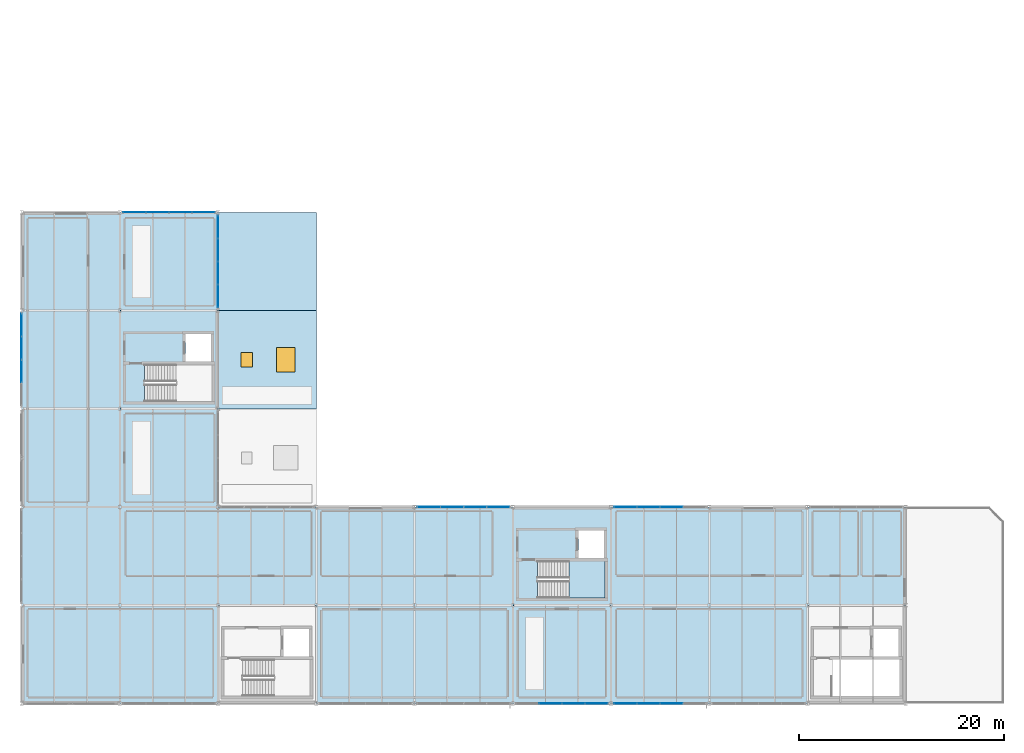
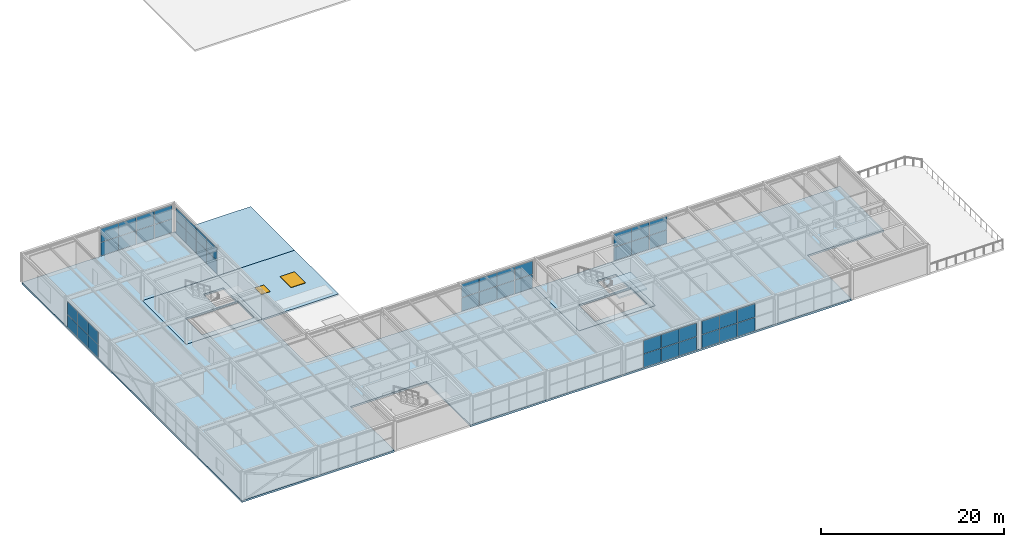
# One storey, part 39 of 50: 48 plates, 6 slabs, 1 door, 1 window, 2 openings, 8 elements without a shape of their own.
"""IFC4 building model written with IfcOpenShell, lengths in metres."""

import ifcopenshell
import ifcopenshell.guid

model = None  # the IFC model being written
_history = None  # IfcOwnerHistory: only IFC2X3 demands one
_inside = {}  # id of a spatial element -> (the spatial element, [elements in it])
_under = {}  # id of a project, library or spatial element -> (it, [spatial elements below it])
_declared = {}  # id of a project -> (the project, [libraries it declares])
_typed = {}  # id of a type object -> (the type object, [elements of that type])
_made_of = {}  # id of a material, layer set ... -> (it, [elements and type objects made of it])


def new_model(schema):
    """Start an empty IFC model of exactly this schema.

    Asked for "IFC4X3", IfcOpenShell would pick the latest addendum, in which some entities
    have other attributes; the version numbers below select the first issue.
    IFC2X3 requires an IfcOwnerHistory on every rooted entity: one is made here for all.
    """
    global model, _history
    if schema == "IFC4X3":
        model = ifcopenshell.file(schema_version=(4, 3, 0, 0))
    else:
        model = ifcopenshell.file(schema=schema)
    _inside.clear()
    _under.clear()
    _declared.clear()
    _typed.clear()
    _made_of.clear()
    _history = None
    if model.schema == "IFC2X3":
        org = make("IfcOrganization", Name="unknown")
        user = make(
            "IfcPersonAndOrganization",
            ThePerson=make("IfcPerson", FamilyName="unknown"),
            TheOrganization=org,
        )
        app = make(
            "IfcApplication",
            ApplicationDeveloper=org,
            Version="unknown",
            ApplicationFullName="unknown",
            ApplicationIdentifier="unknown",
        )
        _history = make(
            "IfcOwnerHistory",
            OwningUser=user,
            OwningApplication=app,
            ChangeAction="ADDED",
            CreationDate=0,
        )
    return model


def make(cls, **values):
    """One entity of the class cls with the attributes given. An attribute that is None is left unset."""
    return model.create_entity(
        cls, **{name: value for name, value in values.items() if value is not None}
    )


def rooted(cls, **values):
    """An entity with a GlobalId (a new one), such as an element, a storey or a relation."""
    return make(cls, GlobalId=ifcopenshell.guid.new(), OwnerHistory=_history, **values)


def si_unit(unit_type, name, prefix=None):
    """IfcSIUnit, for example si_unit("LENGTHUNIT", "METRE", prefix="MILLI")."""
    return make("IfcSIUnit", UnitType=unit_type, Prefix=prefix, Name=name)


def assignment(units):
    """IfcUnitAssignment: the units of a project."""
    return None if units is None else make("IfcUnitAssignment", Units=units)


def point(xyz):
    """IfcCartesianPoint."""
    return None if xyz is None else make("IfcCartesianPoint", Coordinates=xyz)


def direction(xyz):
    """IfcDirection."""
    return None if xyz is None else make("IfcDirection", DirectionRatios=xyz)


def frame(location, z_axis=None, x_axis=None):
    """IfcAxis2Placement3D, a coordinate frame: its origin and axes. An axis left out is left unset."""
    return make(
        "IfcAxis2Placement3D",
        Location=point(location),
        Axis=direction(z_axis),
        RefDirection=direction(x_axis),
    )


def frame_2d(location, x_axis=None):
    """IfcAxis2Placement2D, a coordinate frame in the plane: its origin and x axis."""
    return make(
        "IfcAxis2Placement2D", Location=point(location), RefDirection=direction(x_axis)
    )


def origin():
    """The frame at (0, 0, 0) with its axes left unset."""
    return frame((0.0, 0.0, 0.0))


def origin_2d():
    """The frame at (0, 0) in the plane with its x axis left unset."""
    return frame_2d((0.0, 0.0))


def place(relative_to, where):
    """IfcLocalPlacement: puts the frame where relative to a parent placement (None: the world)."""
    return make(
        "IfcLocalPlacement", PlacementRelTo=relative_to, RelativePlacement=where
    )


def context(
    kind, dimensions, precision=None, world=None, true_north=None, identifier=None
):
    """IfcGeometricRepresentationContext, for example the 3D "Model" context."""
    return make(
        "IfcGeometricRepresentationContext",
        ContextIdentifier=identifier,
        ContextType=kind,
        CoordinateSpaceDimension=dimensions,
        Precision=precision,
        WorldCoordinateSystem=world,
        TrueNorth=true_north,
    )


def subcontext(parent, identifier, kind, view, scale=None):
    """IfcGeometricRepresentationSubContext, for example "Body" below "Model"."""
    return make(
        "IfcGeometricRepresentationSubContext",
        ContextIdentifier=identifier,
        ContextType=kind,
        ParentContext=parent,
        TargetScale=scale,
        TargetView=view,
    )


def project(units=None, contexts=None):
    """IfcProject with its units and contexts."""
    return rooted(
        "IfcProject",
        Name="project",
        RepresentationContexts=contexts,
        UnitsInContext=assignment(units),
    )


def spatial(cls, under=None, at=None, **own):
    """A site, building, storey or space (cls), placed at a placement, below another one or the project."""
    s = rooted(cls, ObjectPlacement=at, **own)
    if under is not None:
        _under.setdefault(under.id(), (under, []))[1].append(s)
    return s


def polyline(points):
    """IfcPolyline through the points."""
    return make("IfcPolyline", Points=[point(p) for p in points])


def profile(cls, at=None, kind="AREA", **sizes):
    """A parametric profile (cls). Its sizes go by their IFC names, for example OverallWidth=200.0."""
    return make(cls, ProfileType=kind, Position=at, **sizes)


def rectangle(**sizes):
    """IfcRectangleProfileDef."""
    return profile("IfcRectangleProfileDef", **sizes)


def outline(outer, holes=None, kind="AREA"):
    """IfcArbitraryClosedProfileDef: a profile drawn as a closed curve; with holes, ...WithVoids."""
    if holes is None:
        return make("IfcArbitraryClosedProfileDef", ProfileType=kind, OuterCurve=outer)
    return make(
        "IfcArbitraryProfileDefWithVoids",
        ProfileType=kind,
        OuterCurve=outer,
        InnerCurves=holes,
    )


def extrude(swept, where, along, depth):
    """IfcExtrudedAreaSolid: the profile swept, set in the frame where, extruded along a direction by depth."""
    return make(
        "IfcExtrudedAreaSolid",
        SweptArea=swept,
        Position=where,
        ExtrudedDirection=direction(along),
        Depth=depth,
    )


def shape(context_of_items, identifier, shape_type, items):
    """IfcShapeRepresentation: the items that make up one representation, for example the "Body"."""
    return make(
        "IfcShapeRepresentation",
        ContextOfItems=context_of_items,
        RepresentationIdentifier=identifier,
        RepresentationType=shape_type,
        Items=items,
    )


def material(Name=None, Category=None):
    """IfcMaterial."""
    return make("IfcMaterial", Name=Name, Category=Category)


def layer(
    of_material, thickness, ventilated=None, Name=None, Category=None, Priority=None
):
    """IfcMaterialLayer: one layer of a wall or slab, of a material (None: an air gap)."""
    return make(
        "IfcMaterialLayer",
        Material=of_material,
        LayerThickness=thickness,
        IsVentilated=ventilated,
        Name=Name,
        Category=Category,
        Priority=Priority,
    )


def layer_set(layers, Name=None):
    """IfcMaterialLayerSet."""
    return make("IfcMaterialLayerSet", MaterialLayers=layers, LayerSetName=Name)


def made_of(thing, what):
    """Note that an element or type object is made of a material, layer set ...; save() writes the relation."""
    if what is not None:
        _made_of.setdefault(what.id(), (what, []))[1].append(thing)
    return thing


def type_object(cls, material=None, **own):
    """A type object (cls), such as IfcWallType, which elements share."""
    return made_of(rooted(cls, **own), material)


def element(
    cls,
    number,
    at=None,
    inside=None,
    cuts=None,
    type_object=None,
    material=None,
    context=None,
    identifier="Body",
    shape_type=None,
    held_by="IfcProductDefinitionShape",
    body=None,
    shapes=None,
    **own,
):
    """One element of the class cls, such as IfcWall. Its Tag is "e" and its number.

    at: its placement. inside: the storey or other place that contains it. cuts: it is an
    opening in that element (IfcRelVoidsElement). A single representation is given by context,
    identifier, shape_type and body (its items); several are given by shapes. held_by: the class
    of the entity that holds the representations. save() writes the other relations.
    """
    e = rooted(cls, Tag="e%d" % number, ObjectPlacement=at, **own)
    if body is not None:
        shapes = [shape(context, identifier, shape_type, body)]
    if shapes is not None:
        e.Representation = make(held_by, Representations=shapes)
    if inside is not None:
        _inside.setdefault(inside.id(), (inside, []))[1].append(e)
    if cuts is not None:
        rooted(
            "IfcRelVoidsElement", RelatingBuildingElement=cuts, RelatedOpeningElement=e
        )
    if type_object is not None:
        _typed.setdefault(type_object.id(), (type_object, []))[1].append(e)
    return made_of(e, material)


def fill(opening, filler):
    """IfcRelFillsElement: the door or window that sits in an opening."""
    return rooted(
        "IfcRelFillsElement",
        RelatingOpeningElement=opening,
        RelatedBuildingElement=filler,
    )


def aggregate(whole, parts):
    """IfcRelAggregates: a whole, such as a stair, and the parts it consists of."""
    return rooted("IfcRelAggregates", RelatingObject=whole, RelatedObjects=parts)


def save(model, path):
    """Write the relations noted so far, then the file.

    IfcRelAggregates (storeys below a building ...), IfcRelContainedInSpatialStructure (elements
    in a storey), IfcRelDefinesByType, IfcRelAssociatesMaterial and IfcRelDeclares: one each for
    every whole, place, type object, material and project.
    """
    for whole, parts in _under.values():
        aggregate(whole, parts)
    for where, things in _inside.values():
        rooted(
            "IfcRelContainedInSpatialStructure",
            RelatedElements=things,
            RelatingStructure=where,
        )
    for kind, things in _typed.values():
        rooted("IfcRelDefinesByType", RelatedObjects=things, RelatingType=kind)
    for what, things in _made_of.values():
        rooted("IfcRelAssociatesMaterial", RelatedObjects=things, RelatingMaterial=what)
    for by, libraries in _declared.values():
        rooted("IfcRelDeclares", RelatingContext=by, RelatedDefinitions=libraries)
    model.write(path)


model = new_model("IFC4")

# Units and contexts
model_context = context("Model", 3, precision=1e-05, world=origin(), true_north=direction((0.0, 1.0)))
body_context = subcontext(model_context, "Body", "Model", "MODEL_VIEW")
ifc_project = project(units=[si_unit("LENGTHUNIT", "METRE"), si_unit("AREAUNIT", "SQUARE_METRE"), si_unit("VOLUMEUNIT", "CUBIC_METRE"), si_unit("PLANEANGLEUNIT", "RADIAN"), si_unit("MASSUNIT", "GRAM", prefix="KILO")], contexts=[model_context])

# Site, building, storey
site_placement = place(None, origin())
site = spatial("IfcSite", under=ifc_project, at=site_placement, CompositionType="ELEMENT")
building_placement = place(site_placement, origin())
building = spatial("IfcBuilding", under=site, at=building_placement, Name="Coralgate Yard Interchange", CompositionType="ELEMENT")
storey_placement = place(building_placement, frame((0.0, 0.0, 14.699951171875)))
storey = spatial("IfcBuildingStorey", under=building, at=storey_placement, Name="L03", CompositionType="ELEMENT", Elevation=14.699951171875)

# Curtain wall, plates
ifc_material_1 = material(Name="Anodised coastal aluminium and solar-control low-E glass", Category="aluminium")
curtain_wall_type = type_object("IfcCurtainWallType", Name="CW-CW-L03-A", PredefinedType="NOTDEFINED", material=ifc_material_1)
curtain_wall_1_placement = place(storey_placement, origin())
curtain_wall_1 = element("IfcCurtainWall", 1, at=curtain_wall_1_placement, inside=storey, type_object=curtain_wall_type, Name="L03 unitised curtain wall CW-L03-W-00-03", PredefinedType="NOTDEFINED")
ifc_material_2 = material(Name="Solar-control double-glazed low-E glass unit", Category="glass")
ifc_layer_1 = layer(ifc_material_2, 0.028076171875)
ifc_layer_set_1 = layer_set([ifc_layer_1], Name="Solar-control double-glazed low-E glass unit")
plate_type = type_object("IfcPlateType", Name="PLT-CP-28", PredefinedType="CURTAIN_PANEL", material=ifc_layer_set_1)
plate_1_placement = place(storey_placement, frame((0.0, 32.47509765625, 0.02490234375), z_axis=(0.0, 0.0, 1.0), x_axis=(0.0, 1.0, 0.0)))
plate_1 = element("IfcPlate", 2, at=plate_1_placement, type_object=plate_type, Name="CW-L03-W-00-03 solar-control glazing panel 2-1", PredefinedType="CURTAIN_PANEL", context=body_context, shape_type="SweptSolid", body=[
    extrude(rectangle(XDim=2.199951171875, YDim=0.028076171875, at=origin_2d()), origin(), (0.0, 0.0, 1.0), 1.696533203125),
])
plate_2_placement = place(storey_placement, frame((0.0, 32.47509765625, 1.771484375), z_axis=(0.0, 0.0, 1.0), x_axis=(0.0, 1.0, 0.0)))
plate_2 = element("IfcPlate", 3, at=plate_2_placement, type_object=plate_type, Name="CW-L03-W-00-03 solar-control glazing panel 2-2", PredefinedType="CURTAIN_PANEL", context=body_context, shape_type="SweptSolid", body=[
    extrude(rectangle(XDim=2.199951171875, YDim=0.028076171875, at=origin_2d()), origin(), (0.0, 0.0, 1.0), 1.696533203125),
])
plate_3_placement = place(storey_placement, frame((0.0, 34.72509765625, 0.02490234375), z_axis=(0.0, 0.0, 1.0), x_axis=(0.0, 1.0, 0.0)))
plate_3 = element("IfcPlate", 4, at=plate_3_placement, type_object=plate_type, Name="CW-L03-W-00-03 solar-control glazing panel 3-1", PredefinedType="CURTAIN_PANEL", context=body_context, shape_type="SweptSolid", body=[
    extrude(rectangle(XDim=2.199951171875, YDim=0.028076171875, at=origin_2d()), origin(), (0.0, 0.0, 1.0), 1.696533203125),
])
plate_4_placement = place(storey_placement, frame((0.0, 34.72509765625, 1.771484375), z_axis=(0.0, 0.0, 1.0), x_axis=(0.0, 1.0, 0.0)))
plate_4 = element("IfcPlate", 5, at=plate_4_placement, type_object=plate_type, Name="CW-L03-W-00-03 solar-control glazing panel 3-2", PredefinedType="CURTAIN_PANEL", context=body_context, shape_type="SweptSolid", body=[
    extrude(rectangle(XDim=2.199951171875, YDim=0.028076171875, at=origin_2d()), origin(), (0.0, 0.0, 1.0), 1.696533203125),
])
plate_5_placement = place(storey_placement, frame((0.0, 36.97509765625, 0.02490234375), z_axis=(0.0, 0.0, 1.0), x_axis=(0.0, 1.0, 0.0)))
plate_5 = element("IfcPlate", 6, at=plate_5_placement, type_object=plate_type, Name="CW-L03-W-00-03 solar-control glazing panel 4-1", PredefinedType="CURTAIN_PANEL", context=body_context, shape_type="SweptSolid", body=[
    extrude(rectangle(XDim=2.199951171875, YDim=0.028076171875, at=origin_2d()), origin(), (0.0, 0.0, 1.0), 1.696533203125),
])
plate_6_placement = place(storey_placement, frame((0.0, 36.97509765625, 1.771484375), z_axis=(0.0, 0.0, 1.0), x_axis=(0.0, 1.0, 0.0)))
plate_6 = element("IfcPlate", 7, at=plate_6_placement, type_object=plate_type, Name="CW-L03-W-00-03 solar-control glazing panel 4-2", PredefinedType="CURTAIN_PANEL", context=body_context, shape_type="SweptSolid", body=[
    extrude(rectangle(XDim=2.199951171875, YDim=0.028076171875, at=origin_2d()), origin(), (0.0, 0.0, 1.0), 1.696533203125),
])
aggregate(curtain_wall_1, [plate_1, plate_2, plate_3, plate_4, plate_5, plate_6])

curtain_wall_2_placement = place(storey_placement, origin())
curtain_wall_2 = element("IfcCurtainWall", 8, at=curtain_wall_2_placement, inside=storey, type_object=curtain_wall_type, Name="L03 unitised curtain wall CW-L03-N-01-04", PredefinedType="NOTDEFINED")
plate_7_placement = place(storey_placement, frame((11.02490234375, 48.0, 0.02490234375), z_axis=(0.0, 0.0, 1.0), x_axis=(1.0, 0.0, 0.0)))
plate_7 = element("IfcPlate", 9, at=plate_7_placement, type_object=plate_type, Name="CW-L03-N-01-04 solar-control glazing panel 1-1", PredefinedType="CURTAIN_PANEL", context=body_context, shape_type="SweptSolid", body=[
    extrude(rectangle(XDim=2.199951171875, YDim=0.028076171875, at=origin_2d()), origin(), (0.0, 0.0, 1.0), 1.780029296875),
])
plate_8_placement = place(storey_placement, frame((11.02490234375, 48.0, 1.85498046875), z_axis=(0.0, 0.0, 1.0), x_axis=(1.0, 0.0, 0.0)))
plate_8 = element("IfcPlate", 10, at=plate_8_placement, type_object=plate_type, Name="CW-L03-N-01-04 solar-control glazing panel 1-2", PredefinedType="CURTAIN_PANEL", context=body_context, shape_type="SweptSolid", body=[
    extrude(rectangle(XDim=2.199951171875, YDim=0.028076171875, at=origin_2d()), origin(), (0.0, 0.0, 1.0), 1.780029296875),
])
plate_9_placement = place(storey_placement, frame((13.27490234375, 48.0, 0.02490234375), z_axis=(0.0, 0.0, 1.0), x_axis=(1.0, 0.0, 0.0)))
plate_9 = element("IfcPlate", 11, at=plate_9_placement, type_object=plate_type, Name="CW-L03-N-01-04 solar-control glazing panel 2-1", PredefinedType="CURTAIN_PANEL", context=body_context, shape_type="SweptSolid", body=[
    extrude(rectangle(XDim=2.199951171875, YDim=0.028076171875, at=origin_2d()), origin(), (0.0, 0.0, 1.0), 1.780029296875),
])
plate_10_placement = place(storey_placement, frame((13.27490234375, 48.0, 1.85498046875), z_axis=(0.0, 0.0, 1.0), x_axis=(1.0, 0.0, 0.0)))
plate_10 = element("IfcPlate", 12, at=plate_10_placement, type_object=plate_type, Name="CW-L03-N-01-04 solar-control glazing panel 2-2", PredefinedType="CURTAIN_PANEL", context=body_context, shape_type="SweptSolid", body=[
    extrude(rectangle(XDim=2.199951171875, YDim=0.028076171875, at=origin_2d()), origin(), (0.0, 0.0, 1.0), 1.780029296875),
])
plate_11_placement = place(storey_placement, frame((15.52490234375, 48.0, 0.02490234375), z_axis=(0.0, 0.0, 1.0), x_axis=(1.0, 0.0, 0.0)))
plate_11 = element("IfcPlate", 13, at=plate_11_placement, type_object=plate_type, Name="CW-L03-N-01-04 solar-control glazing panel 3-1", PredefinedType="CURTAIN_PANEL", context=body_context, shape_type="SweptSolid", body=[
    extrude(rectangle(XDim=2.199951171875, YDim=0.028076171875, at=origin_2d()), origin(), (0.0, 0.0, 1.0), 1.780029296875),
])
plate_12_placement = place(storey_placement, frame((15.52490234375, 48.0, 1.85498046875), z_axis=(0.0, 0.0, 1.0), x_axis=(1.0, 0.0, 0.0)))
plate_12 = element("IfcPlate", 14, at=plate_12_placement, type_object=plate_type, Name="CW-L03-N-01-04 solar-control glazing panel 3-2", PredefinedType="CURTAIN_PANEL", context=body_context, shape_type="SweptSolid", body=[
    extrude(rectangle(XDim=2.199951171875, YDim=0.028076171875, at=origin_2d()), origin(), (0.0, 0.0, 1.0), 1.780029296875),
])
plate_13_placement = place(storey_placement, frame((17.77490234375, 48.0, 0.02490234375), z_axis=(0.0, 0.0, 1.0), x_axis=(1.0, 0.0, 0.0)))
plate_13 = element("IfcPlate", 15, at=plate_13_placement, type_object=plate_type, Name="CW-L03-N-01-04 solar-control glazing panel 4-1", PredefinedType="CURTAIN_PANEL", context=body_context, shape_type="SweptSolid", body=[
    extrude(rectangle(XDim=2.199951171875, YDim=0.028076171875, at=origin_2d()), origin(), (0.0, 0.0, 1.0), 1.780029296875),
])
plate_14_placement = place(storey_placement, frame((17.77490234375, 48.0, 1.85498046875), z_axis=(0.0, 0.0, 1.0), x_axis=(1.0, 0.0, 0.0)))
plate_14 = element("IfcPlate", 16, at=plate_14_placement, type_object=plate_type, Name="CW-L03-N-01-04 solar-control glazing panel 4-2", PredefinedType="CURTAIN_PANEL", context=body_context, shape_type="SweptSolid", body=[
    extrude(rectangle(XDim=2.199951171875, YDim=0.028076171875, at=origin_2d()), origin(), (0.0, 0.0, 1.0), 1.780029296875),
])
aggregate(curtain_wall_2, [plate_7, plate_8, plate_9, plate_10, plate_11, plate_12, plate_13, plate_14])

curtain_wall_3_placement = place(storey_placement, origin())
curtain_wall_3 = element("IfcCurtainWall", 17, at=curtain_wall_3_placement, inside=storey, type_object=curtain_wall_type, Name="L03 unitised curtain wall CW-L03-E-01-04", PredefinedType="NOTDEFINED")
plate_15_placement = place(storey_placement, frame((19.199951171875, 46.574951171875, 0.02490234375), z_axis=(0.0, 0.0, 1.0), x_axis=(0.0, -1.0, 0.0)))
plate_15 = element("IfcPlate", 18, at=plate_15_placement, type_object=plate_type, Name="CW-L03-E-01-04 solar-control glazing panel 1-1", PredefinedType="CURTAIN_PANEL", context=body_context, shape_type="SweptSolid", body=[
    extrude(rectangle(XDim=2.199951171875, YDim=0.028076171875, at=origin_2d()), origin(), (0.0, 0.0, 1.0), 1.696533203125),
])
plate_16_placement = place(storey_placement, frame((19.199951171875, 46.574951171875, 1.771484375), z_axis=(0.0, 0.0, 1.0), x_axis=(0.0, -1.0, 0.0)))
plate_16 = element("IfcPlate", 19, at=plate_16_placement, type_object=plate_type, Name="CW-L03-E-01-04 solar-control glazing panel 1-2", PredefinedType="CURTAIN_PANEL", context=body_context, shape_type="SweptSolid", body=[
    extrude(rectangle(XDim=2.199951171875, YDim=0.028076171875, at=origin_2d()), origin(), (0.0, 0.0, 1.0), 1.696533203125),
])
plate_17_placement = place(storey_placement, frame((19.199951171875, 44.324951171875, 0.02490234375), z_axis=(0.0, 0.0, 1.0), x_axis=(0.0, -1.0, 0.0)))
plate_17 = element("IfcPlate", 20, at=plate_17_placement, type_object=plate_type, Name="CW-L03-E-01-04 solar-control glazing panel 2-1", PredefinedType="CURTAIN_PANEL", context=body_context, shape_type="SweptSolid", body=[
    extrude(rectangle(XDim=2.199951171875, YDim=0.028076171875, at=origin_2d()), origin(), (0.0, 0.0, 1.0), 1.696533203125),
])
plate_18_placement = place(storey_placement, frame((19.199951171875, 44.324951171875, 1.771484375), z_axis=(0.0, 0.0, 1.0), x_axis=(0.0, -1.0, 0.0)))
plate_18 = element("IfcPlate", 21, at=plate_18_placement, type_object=plate_type, Name="CW-L03-E-01-04 solar-control glazing panel 2-2", PredefinedType="CURTAIN_PANEL", context=body_context, shape_type="SweptSolid", body=[
    extrude(rectangle(XDim=2.199951171875, YDim=0.028076171875, at=origin_2d()), origin(), (0.0, 0.0, 1.0), 1.696533203125),
])
plate_19_placement = place(storey_placement, frame((19.199951171875, 42.074951171875, 0.02490234375), z_axis=(0.0, 0.0, 1.0), x_axis=(0.0, -1.0, 0.0)))
plate_19 = element("IfcPlate", 22, at=plate_19_placement, type_object=plate_type, Name="CW-L03-E-01-04 solar-control glazing panel 3-1", PredefinedType="CURTAIN_PANEL", context=body_context, shape_type="SweptSolid", body=[
    extrude(rectangle(XDim=2.199951171875, YDim=0.028076171875, at=origin_2d()), origin(), (0.0, 0.0, 1.0), 1.696533203125),
])
plate_20_placement = place(storey_placement, frame((19.199951171875, 42.074951171875, 1.771484375), z_axis=(0.0, 0.0, 1.0), x_axis=(0.0, -1.0, 0.0)))
plate_20 = element("IfcPlate", 23, at=plate_20_placement, type_object=plate_type, Name="CW-L03-E-01-04 solar-control glazing panel 3-2", PredefinedType="CURTAIN_PANEL", context=body_context, shape_type="SweptSolid", body=[
    extrude(rectangle(XDim=2.199951171875, YDim=0.028076171875, at=origin_2d()), origin(), (0.0, 0.0, 1.0), 1.696533203125),
])
plate_21_placement = place(storey_placement, frame((19.199951171875, 39.824951171875, 0.02490234375), z_axis=(0.0, 0.0, 1.0), x_axis=(0.0, -1.0, 0.0)))
plate_21 = element("IfcPlate", 24, at=plate_21_placement, type_object=plate_type, Name="CW-L03-E-01-04 solar-control glazing panel 4-1", PredefinedType="CURTAIN_PANEL", context=body_context, shape_type="SweptSolid", body=[
    extrude(rectangle(XDim=2.199951171875, YDim=0.028076171875, at=origin_2d()), origin(), (0.0, 0.0, 1.0), 1.696533203125),
])
plate_22_placement = place(storey_placement, frame((19.199951171875, 39.824951171875, 1.771484375), z_axis=(0.0, 0.0, 1.0), x_axis=(0.0, -1.0, 0.0)))
plate_22 = element("IfcPlate", 25, at=plate_22_placement, type_object=plate_type, Name="CW-L03-E-01-04 solar-control glazing panel 4-2", PredefinedType="CURTAIN_PANEL", context=body_context, shape_type="SweptSolid", body=[
    extrude(rectangle(XDim=2.199951171875, YDim=0.028076171875, at=origin_2d()), origin(), (0.0, 0.0, 1.0), 1.696533203125),
])
aggregate(curtain_wall_3, [plate_15, plate_16, plate_17, plate_18, plate_19, plate_20, plate_21, plate_22])

curtain_wall_4_placement = place(storey_placement, origin())
curtain_wall_4 = element("IfcCurtainWall", 26, at=curtain_wall_4_placement, inside=storey, type_object=curtain_wall_type, Name="L03 unitised curtain wall CW-L03-N-04-01", PredefinedType="NOTDEFINED")
plate_23_placement = place(storey_placement, frame((39.824951171875, 19.199951171875, 0.02490234375), z_axis=(0.0, 0.0, 1.0), x_axis=(1.0, 0.0, 0.0)))
plate_23 = element("IfcPlate", 27, at=plate_23_placement, type_object=plate_type, Name="CW-L03-N-04-01 solar-control glazing panel 1-1", PredefinedType="CURTAIN_PANEL", context=body_context, shape_type="SweptSolid", body=[
    extrude(rectangle(XDim=2.199951171875, YDim=0.028076171875, at=origin_2d()), origin(), (0.0, 0.0, 1.0), 1.780029296875),
])
plate_24_placement = place(storey_placement, frame((39.824951171875, 19.199951171875, 1.85498046875), z_axis=(0.0, 0.0, 1.0), x_axis=(1.0, 0.0, 0.0)))
plate_24 = element("IfcPlate", 28, at=plate_24_placement, type_object=plate_type, Name="CW-L03-N-04-01 solar-control glazing panel 1-2", PredefinedType="CURTAIN_PANEL", context=body_context, shape_type="SweptSolid", body=[
    extrude(rectangle(XDim=2.199951171875, YDim=0.028076171875, at=origin_2d()), origin(), (0.0, 0.0, 1.0), 1.780029296875),
])
plate_25_placement = place(storey_placement, frame((42.074951171875, 19.199951171875, 0.02490234375), z_axis=(0.0, 0.0, 1.0), x_axis=(1.0, 0.0, 0.0)))
plate_25 = element("IfcPlate", 29, at=plate_25_placement, type_object=plate_type, Name="CW-L03-N-04-01 solar-control glazing panel 2-1", PredefinedType="CURTAIN_PANEL", context=body_context, shape_type="SweptSolid", body=[
    extrude(rectangle(XDim=2.199951171875, YDim=0.028076171875, at=origin_2d()), origin(), (0.0, 0.0, 1.0), 1.780029296875),
])
plate_26_placement = place(storey_placement, frame((42.074951171875, 19.199951171875, 1.85498046875), z_axis=(0.0, 0.0, 1.0), x_axis=(1.0, 0.0, 0.0)))
plate_26 = element("IfcPlate", 30, at=plate_26_placement, type_object=plate_type, Name="CW-L03-N-04-01 solar-control glazing panel 2-2", PredefinedType="CURTAIN_PANEL", context=body_context, shape_type="SweptSolid", body=[
    extrude(rectangle(XDim=2.199951171875, YDim=0.028076171875, at=origin_2d()), origin(), (0.0, 0.0, 1.0), 1.780029296875),
])
plate_27_placement = place(storey_placement, frame((44.324951171875, 19.199951171875, 0.02490234375), z_axis=(0.0, 0.0, 1.0), x_axis=(1.0, 0.0, 0.0)))
plate_27 = element("IfcPlate", 31, at=plate_27_placement, type_object=plate_type, Name="CW-L03-N-04-01 solar-control glazing panel 3-1", PredefinedType="CURTAIN_PANEL", context=body_context, shape_type="SweptSolid", body=[
    extrude(rectangle(XDim=2.199951171875, YDim=0.028076171875, at=origin_2d()), origin(), (0.0, 0.0, 1.0), 1.780029296875),
])
plate_28_placement = place(storey_placement, frame((44.324951171875, 19.199951171875, 1.85498046875), z_axis=(0.0, 0.0, 1.0), x_axis=(1.0, 0.0, 0.0)))
plate_28 = element("IfcPlate", 32, at=plate_28_placement, type_object=plate_type, Name="CW-L03-N-04-01 solar-control glazing panel 3-2", PredefinedType="CURTAIN_PANEL", context=body_context, shape_type="SweptSolid", body=[
    extrude(rectangle(XDim=2.199951171875, YDim=0.028076171875, at=origin_2d()), origin(), (0.0, 0.0, 1.0), 1.780029296875),
])
plate_29_placement = place(storey_placement, frame((46.574951171875, 19.199951171875, 0.02490234375), z_axis=(0.0, 0.0, 1.0), x_axis=(1.0, 0.0, 0.0)))
plate_29 = element("IfcPlate", 33, at=plate_29_placement, type_object=plate_type, Name="CW-L03-N-04-01 solar-control glazing panel 4-1", PredefinedType="CURTAIN_PANEL", context=body_context, shape_type="SweptSolid", body=[
    extrude(rectangle(XDim=2.199951171875, YDim=0.028076171875, at=origin_2d()), origin(), (0.0, 0.0, 1.0), 1.780029296875),
])
plate_30_placement = place(storey_placement, frame((46.574951171875, 19.199951171875, 1.85498046875), z_axis=(0.0, 0.0, 1.0), x_axis=(1.0, 0.0, 0.0)))
plate_30 = element("IfcPlate", 34, at=plate_30_placement, type_object=plate_type, Name="CW-L03-N-04-01 solar-control glazing panel 4-2", PredefinedType="CURTAIN_PANEL", context=body_context, shape_type="SweptSolid", body=[
    extrude(rectangle(XDim=2.199951171875, YDim=0.028076171875, at=origin_2d()), origin(), (0.0, 0.0, 1.0), 1.780029296875),
])
aggregate(curtain_wall_4, [plate_23, plate_24, plate_25, plate_26, plate_27, plate_28, plate_29, plate_30])

curtain_wall_5_placement = place(storey_placement, origin())
curtain_wall_5 = element("IfcCurtainWall", 35, at=curtain_wall_5_placement, inside=storey, type_object=curtain_wall_type, Name="L03 unitised curtain wall CW-L03-S-05-00", PredefinedType="NOTDEFINED")
plate_31_placement = place(storey_placement, frame((56.175048828125, 0.0, 0.02490234375), z_axis=(0.0, 0.0, 1.0), x_axis=(-1.0, 0.0, 0.0)))
plate_31 = element("IfcPlate", 36, at=plate_31_placement, type_object=plate_type, Name="CW-L03-S-05-00 solar-control glazing panel 1-1", PredefinedType="CURTAIN_PANEL", context=body_context, shape_type="SweptSolid", body=[
    extrude(rectangle(XDim=2.199951171875, YDim=0.028076171875, at=origin_2d()), origin(), (0.0, 0.0, 1.0), 1.780029296875),
])
plate_32_placement = place(storey_placement, frame((56.175048828125, 0.0, 1.85498046875), z_axis=(0.0, 0.0, 1.0), x_axis=(-1.0, 0.0, 0.0)))
plate_32 = element("IfcPlate", 37, at=plate_32_placement, type_object=plate_type, Name="CW-L03-S-05-00 solar-control glazing panel 1-2", PredefinedType="CURTAIN_PANEL", context=body_context, shape_type="SweptSolid", body=[
    extrude(rectangle(XDim=2.199951171875, YDim=0.028076171875, at=origin_2d()), origin(), (0.0, 0.0, 1.0), 1.780029296875),
])
plate_33_placement = place(storey_placement, frame((53.925048828125, 0.0, 0.02490234375), z_axis=(0.0, 0.0, 1.0), x_axis=(-1.0, 0.0, 0.0)))
plate_33 = element("IfcPlate", 38, at=plate_33_placement, type_object=plate_type, Name="CW-L03-S-05-00 solar-control glazing panel 2-1", PredefinedType="CURTAIN_PANEL", context=body_context, shape_type="SweptSolid", body=[
    extrude(rectangle(XDim=2.199951171875, YDim=0.028076171875, at=origin_2d()), origin(), (0.0, 0.0, 1.0), 1.780029296875),
])
plate_34_placement = place(storey_placement, frame((53.925048828125, 0.0, 1.85498046875), z_axis=(0.0, 0.0, 1.0), x_axis=(-1.0, 0.0, 0.0)))
plate_34 = element("IfcPlate", 39, at=plate_34_placement, type_object=plate_type, Name="CW-L03-S-05-00 solar-control glazing panel 2-2", PredefinedType="CURTAIN_PANEL", context=body_context, shape_type="SweptSolid", body=[
    extrude(rectangle(XDim=2.199951171875, YDim=0.028076171875, at=origin_2d()), origin(), (0.0, 0.0, 1.0), 1.780029296875),
])
plate_35_placement = place(storey_placement, frame((51.675048828125, 0.0, 0.02490234375), z_axis=(0.0, 0.0, 1.0), x_axis=(-1.0, 0.0, 0.0)))
plate_35 = element("IfcPlate", 40, at=plate_35_placement, type_object=plate_type, Name="CW-L03-S-05-00 solar-control glazing panel 3-1", PredefinedType="CURTAIN_PANEL", context=body_context, shape_type="SweptSolid", body=[
    extrude(rectangle(XDim=2.199951171875, YDim=0.028076171875, at=origin_2d()), origin(), (0.0, 0.0, 1.0), 1.780029296875),
])
plate_36_placement = place(storey_placement, frame((51.675048828125, 0.0, 1.85498046875), z_axis=(0.0, 0.0, 1.0), x_axis=(-1.0, 0.0, 0.0)))
plate_36 = element("IfcPlate", 41, at=plate_36_placement, type_object=plate_type, Name="CW-L03-S-05-00 solar-control glazing panel 3-2", PredefinedType="CURTAIN_PANEL", context=body_context, shape_type="SweptSolid", body=[
    extrude(rectangle(XDim=2.199951171875, YDim=0.028076171875, at=origin_2d()), origin(), (0.0, 0.0, 1.0), 1.780029296875),
])
aggregate(curtain_wall_5, [plate_31, plate_32, plate_33, plate_34, plate_35, plate_36])

curtain_wall_6_placement = place(storey_placement, origin())
curtain_wall_6 = element("IfcCurtainWall", 42, at=curtain_wall_6_placement, inside=storey, type_object=curtain_wall_type, Name="L03 unitised curtain wall CW-L03-S-06-00", PredefinedType="NOTDEFINED")
plate_37_placement = place(storey_placement, frame((63.52490234375, 0.0, 0.02490234375), z_axis=(0.0, 0.0, 1.0), x_axis=(-1.0, 0.0, 0.0)))
plate_37 = element("IfcPlate", 43, at=plate_37_placement, type_object=plate_type, Name="CW-L03-S-06-00 solar-control glazing panel 2-1", PredefinedType="CURTAIN_PANEL", context=body_context, shape_type="SweptSolid", body=[
    extrude(rectangle(XDim=2.199951171875, YDim=0.028076171875, at=origin_2d()), origin(), (0.0, 0.0, 1.0), 1.780029296875),
])
plate_38_placement = place(storey_placement, frame((63.52490234375, 0.0, 1.85498046875), z_axis=(0.0, 0.0, 1.0), x_axis=(-1.0, 0.0, 0.0)))
plate_38 = element("IfcPlate", 44, at=plate_38_placement, type_object=plate_type, Name="CW-L03-S-06-00 solar-control glazing panel 2-2", PredefinedType="CURTAIN_PANEL", context=body_context, shape_type="SweptSolid", body=[
    extrude(rectangle(XDim=2.199951171875, YDim=0.028076171875, at=origin_2d()), origin(), (0.0, 0.0, 1.0), 1.780029296875),
])
plate_39_placement = place(storey_placement, frame((61.27490234375, 0.0, 0.02490234375), z_axis=(0.0, 0.0, 1.0), x_axis=(-1.0, 0.0, 0.0)))
plate_39 = element("IfcPlate", 45, at=plate_39_placement, type_object=plate_type, Name="CW-L03-S-06-00 solar-control glazing panel 3-1", PredefinedType="CURTAIN_PANEL", context=body_context, shape_type="SweptSolid", body=[
    extrude(rectangle(XDim=2.199951171875, YDim=0.028076171875, at=origin_2d()), origin(), (0.0, 0.0, 1.0), 1.780029296875),
])
plate_40_placement = place(storey_placement, frame((61.27490234375, 0.0, 1.85498046875), z_axis=(0.0, 0.0, 1.0), x_axis=(-1.0, 0.0, 0.0)))
plate_40 = element("IfcPlate", 46, at=plate_40_placement, type_object=plate_type, Name="CW-L03-S-06-00 solar-control glazing panel 3-2", PredefinedType="CURTAIN_PANEL", context=body_context, shape_type="SweptSolid", body=[
    extrude(rectangle(XDim=2.199951171875, YDim=0.028076171875, at=origin_2d()), origin(), (0.0, 0.0, 1.0), 1.780029296875),
])
plate_41_placement = place(storey_placement, frame((59.02490234375, 0.0, 0.02490234375), z_axis=(0.0, 0.0, 1.0), x_axis=(-1.0, 0.0, 0.0)))
plate_41 = element("IfcPlate", 47, at=plate_41_placement, type_object=plate_type, Name="CW-L03-S-06-00 solar-control glazing panel 4-1", PredefinedType="CURTAIN_PANEL", context=body_context, shape_type="SweptSolid", body=[
    extrude(rectangle(XDim=2.199951171875, YDim=0.028076171875, at=origin_2d()), origin(), (0.0, 0.0, 1.0), 1.780029296875),
])
plate_42_placement = place(storey_placement, frame((59.02490234375, 0.0, 1.85498046875), z_axis=(0.0, 0.0, 1.0), x_axis=(-1.0, 0.0, 0.0)))
plate_42 = element("IfcPlate", 48, at=plate_42_placement, type_object=plate_type, Name="CW-L03-S-06-00 solar-control glazing panel 4-2", PredefinedType="CURTAIN_PANEL", context=body_context, shape_type="SweptSolid", body=[
    extrude(rectangle(XDim=2.199951171875, YDim=0.028076171875, at=origin_2d()), origin(), (0.0, 0.0, 1.0), 1.780029296875),
])
aggregate(curtain_wall_6, [plate_37, plate_38, plate_39, plate_40, plate_41, plate_42])

curtain_wall_7_placement = place(storey_placement, origin())
curtain_wall_7 = element("IfcCurtainWall", 49, at=curtain_wall_7_placement, inside=storey, type_object=curtain_wall_type, Name="L03 unitised curtain wall CW-L03-N-06-01", PredefinedType="NOTDEFINED")
plate_43_placement = place(storey_placement, frame((59.02490234375, 19.199951171875, 0.02490234375), z_axis=(0.0, 0.0, 1.0), x_axis=(1.0, 0.0, 0.0)))
plate_43 = element("IfcPlate", 50, at=plate_43_placement, type_object=plate_type, Name="CW-L03-N-06-01 solar-control glazing panel 1-1", PredefinedType="CURTAIN_PANEL", context=body_context, shape_type="SweptSolid", body=[
    extrude(rectangle(XDim=2.199951171875, YDim=0.028076171875, at=origin_2d()), origin(), (0.0, 0.0, 1.0), 1.780029296875),
])
plate_44_placement = place(storey_placement, frame((59.02490234375, 19.199951171875, 1.85498046875), z_axis=(0.0, 0.0, 1.0), x_axis=(1.0, 0.0, 0.0)))
plate_44 = element("IfcPlate", 51, at=plate_44_placement, type_object=plate_type, Name="CW-L03-N-06-01 solar-control glazing panel 1-2", PredefinedType="CURTAIN_PANEL", context=body_context, shape_type="SweptSolid", body=[
    extrude(rectangle(XDim=2.199951171875, YDim=0.028076171875, at=origin_2d()), origin(), (0.0, 0.0, 1.0), 1.780029296875),
])
plate_45_placement = place(storey_placement, frame((61.27490234375, 19.199951171875, 0.02490234375), z_axis=(0.0, 0.0, 1.0), x_axis=(1.0, 0.0, 0.0)))
plate_45 = element("IfcPlate", 52, at=plate_45_placement, type_object=plate_type, Name="CW-L03-N-06-01 solar-control glazing panel 2-1", PredefinedType="CURTAIN_PANEL", context=body_context, shape_type="SweptSolid", body=[
    extrude(rectangle(XDim=2.199951171875, YDim=0.028076171875, at=origin_2d()), origin(), (0.0, 0.0, 1.0), 1.780029296875),
])
plate_46_placement = place(storey_placement, frame((61.27490234375, 19.199951171875, 1.85498046875), z_axis=(0.0, 0.0, 1.0), x_axis=(1.0, 0.0, 0.0)))
plate_46 = element("IfcPlate", 53, at=plate_46_placement, type_object=plate_type, Name="CW-L03-N-06-01 solar-control glazing panel 2-2", PredefinedType="CURTAIN_PANEL", context=body_context, shape_type="SweptSolid", body=[
    extrude(rectangle(XDim=2.199951171875, YDim=0.028076171875, at=origin_2d()), origin(), (0.0, 0.0, 1.0), 1.780029296875),
])
plate_47_placement = place(storey_placement, frame((63.52490234375, 19.199951171875, 0.02490234375), z_axis=(0.0, 0.0, 1.0), x_axis=(1.0, 0.0, 0.0)))
plate_47 = element("IfcPlate", 54, at=plate_47_placement, type_object=plate_type, Name="CW-L03-N-06-01 solar-control glazing panel 3-1", PredefinedType="CURTAIN_PANEL", context=body_context, shape_type="SweptSolid", body=[
    extrude(rectangle(XDim=2.199951171875, YDim=0.028076171875, at=origin_2d()), origin(), (0.0, 0.0, 1.0), 1.780029296875),
])
plate_48_placement = place(storey_placement, frame((63.52490234375, 19.199951171875, 1.85498046875), z_axis=(0.0, 0.0, 1.0), x_axis=(1.0, 0.0, 0.0)))
plate_48 = element("IfcPlate", 55, at=plate_48_placement, type_object=plate_type, Name="CW-L03-N-06-01 solar-control glazing panel 3-2", PredefinedType="CURTAIN_PANEL", context=body_context, shape_type="SweptSolid", body=[
    extrude(rectangle(XDim=2.199951171875, YDim=0.028076171875, at=origin_2d()), origin(), (0.0, 0.0, 1.0), 1.780029296875),
])
aggregate(curtain_wall_7, [plate_43, plate_44, plate_45, plate_46, plate_47, plate_48])

# Stair, slab
ifc_material_3 = material(Name="Concrete C40/50", Category="concrete")
stair_type = type_object("IfcStairType", Name="STR-DL-165-42", PredefinedType="HALF_TURN_STAIR", material=ifc_material_3)
stair_placement = place(storey_placement, origin())
stair = element("IfcStair", 56, at=stair_placement, inside=storey, type_object=stair_type, Name="L03 Escape stair ST-02", PredefinedType="HALF_TURN_STAIR")
ifc_layer_2 = layer(ifc_material_3, 0.199951171875)
ifc_layer_set_2 = layer_set([ifc_layer_2], Name="Concrete C40/50")
slab_type_1 = type_object("IfcSlabType", Name="SLB-LND200", PredefinedType="LANDING", material=ifc_layer_set_2)
slab_1_placement = place(storey_placement, frame((0.0, 0.0, 1.900146484375)))
slab_1 = element("IfcSlab", 57, at=slab_1_placement, type_object=slab_type_1, Name="ST-02 landing 1", PredefinedType="LANDING", context=body_context, shape_type="SweptSolid", body=[
    extrude(outline(polyline([(53.47998046875, 10.320068359375), (57.0, 10.320068359375), (57.0, 13.909912109375), (53.47998046875, 13.909912109375), (53.47998046875, 10.320068359375)])), origin(), (0.0, 0.0, 1.0), 0.199951171875),
])
aggregate(stair, [slab_1])

# Slabs
ifc_layer_3 = layer(ifc_material_3, 0.25)
ifc_layer_set_3 = layer_set([ifc_layer_3], Name="Concrete C40/50")
slab_type_2 = type_object("IfcSlabType", Name="SLB-SL-FLR250", PredefinedType="FLOOR", material=ifc_layer_set_3)
slab_2_placement = place(storey_placement, frame((0.0, 0.0, -0.25)))
element("IfcSlab", 58, at=slab_2_placement, inside=storey, type_object=slab_type_2, Name="L03 core C1 structural floor slab", PredefinedType="FLOOR", context=body_context, shape_type="SweptSolid", body=[
    extrude(outline(polyline([(19.199951171875, 38.39990234375), (19.199951171875, 28.800048828125), (9.60009765625, 28.800048828125), (9.60009765625, 38.39990234375), (19.199951171875, 38.39990234375)]), holes=[polyline([(18.60009765625, 33.110107421875), (12.02001953125, 33.110107421875), (12.02001953125, 29.52001953125), (18.60009765625, 29.52001953125), (18.60009765625, 33.110107421875)]), polyline([(18.5, 33.25), (18.5, 36.10009765625), (16.0, 36.10009765625), (16.0, 33.25), (18.5, 33.25)])]), origin(), (0.0, 0.0, 1.0), 0.25),
])
slab_3_placement = place(storey_placement, frame((0.0, 0.0, -0.25)))
element("IfcSlab", 59, at=slab_3_placement, inside=storey, type_object=slab_type_2, Name="L03 core C2 structural floor slab", PredefinedType="FLOOR", context=body_context, shape_type="SweptSolid", body=[
    extrude(outline(polyline([(57.60009765625, 19.199951171875), (57.60009765625, 9.60009765625), (48.0, 9.60009765625), (48.0, 19.199951171875), (57.60009765625, 19.199951171875)]), holes=[polyline([(57.0, 13.909912109375), (50.419921875, 13.909912109375), (50.419921875, 10.320068359375), (57.0, 10.320068359375), (57.0, 13.909912109375)]), polyline([(56.89990234375, 14.050048828125), (56.89990234375, 16.89990234375), (54.39990234375, 16.89990234375), (54.39990234375, 14.050048828125), (56.89990234375, 14.050048828125)])]), origin(), (0.0, 0.0, 1.0), 0.25),
])
slab_4_placement = place(storey_placement, frame((0.0, 0.0, -0.25)))
element("IfcSlab", 60, at=slab_4_placement, inside=storey, type_object=slab_type_2, Name="L03 stepped coastal operations L-shaped slab", PredefinedType="FLOOR", context=body_context, shape_type="SweptSolid", body=[
    extrude(outline(polyline([(0.0, 28.800048828125), (0.0, 38.39990234375), (0.0, 48.0), (9.60009765625, 48.0), (19.199951171875, 48.0), (19.199951171875, 38.39990234375), (9.60009765625, 38.39990234375), (9.60009765625, 28.800048828125), (19.199951171875, 28.800048828125), (19.199951171875, 19.199951171875), (28.800048828125, 19.199951171875), (38.39990234375, 19.199951171875), (48.0, 19.199951171875), (48.0, 9.60009765625), (57.60009765625, 9.60009765625), (57.60009765625, 19.199951171875), (67.199951171875, 19.199951171875), (76.800048828125, 19.199951171875), (86.39990234375, 19.199951171875), (86.39990234375, 9.60009765625), (76.800048828125, 9.60009765625), (76.800048828125, 0.0), (67.199951171875, 0.0), (57.60009765625, 0.0), (48.0, 0.0), (38.39990234375, 0.0), (28.800048828125, 0.0), (28.800048828125, 9.60009765625), (19.199951171875, 9.60009765625), (19.199951171875, 0.0), (9.60009765625, 0.0), (0.0, 0.0), (0.0, 9.60009765625), (0.0, 19.199951171875), (0.0, 28.800048828125)])), origin(), (0.0, 0.0, 1.0), 0.25),
])

# Slab, openings, door, window
ifc_layer_4 = layer(ifc_material_3, 0.219970703125)
ifc_layer_set_4 = layer_set([ifc_layer_4], Name="Concrete C40/50")
slab_type_3 = type_object("IfcSlabType", Name="SLB-SL-RF220", PredefinedType="ROOF", material=ifc_layer_set_4)
slab_5_placement = place(storey_placement, frame((0.0, 0.0, -0.219970703125)))
slab_5 = element("IfcSlab", 61, at=slab_5_placement, inside=storey, type_object=slab_type_3, Name="L03 flat concrete roof bay 2 over L02", PredefinedType="ROOF", context=body_context, shape_type="SweptSolid", body=[
    extrude(outline(polyline([(19.199951171875, 28.800048828125), (28.800048828125, 28.800048828125), (28.800048828125, 38.39990234375), (19.199951171875, 38.39990234375), (19.199951171875, 28.800048828125)])), origin(), (0.0, 0.0, 1.0), 0.219970703125),
])
opening_1_placement = place(slab_5_placement, frame((22.0, 33.60009765625, -0.010009765625)))
opening_1 = element("IfcOpeningElement", 62, at=opening_1_placement, cuts=slab_5, Name="Opening RH-2", PredefinedType="OPENING", context=body_context, shape_type="SweptSolid", body=[
    extrude(rectangle(XDim=1.10009765625, YDim=1.39990234375, at=origin_2d()), origin(), (0.0, 0.0, 1.0), 0.2900390625),
])
opening_2_placement = place(slab_5_placement, frame((25.800048828125, 33.60009765625, -0.010009765625)))
opening_2 = element("IfcOpeningElement", 63, at=opening_2_placement, cuts=slab_5, Name="Opening SK-02", PredefinedType="OPENING", context=body_context, shape_type="SweptSolid", body=[
    extrude(rectangle(XDim=1.800048828125, YDim=2.39990234375, at=origin_2d()), origin(), (0.0, 0.0, 1.0), 0.2900390625),
])
ifc_material_4 = material(Name="Insulated marine aluminium plant roof hatch", Category="aluminium")
door_type = type_object("IfcDoorType", Name="DOR-RH-2", OperationType="NOTDEFINED", PredefinedType="TRAPDOOR", material=ifc_material_4)
door_placement = place(opening_1_placement, frame((0.0, 0.0, 0.22998046875)))
door = element("IfcDoor", 64, at=door_placement, inside=storey, type_object=door_type, Name="L03 maintenance roof access hatch RH-06", OperationType="SINGLE_SWING_LEFT", OverallHeight=1.39990234375, OverallWidth=1.10009765625, PredefinedType="TRAPDOOR", context=body_context, shape_type="SweptSolid", body=[
    extrude(rectangle(XDim=1.10009765625, YDim=1.39990234375, at=origin_2d()), origin(), (0.0, 0.0, 1.0), 0.050048828125),
])
fill(opening_1, door)
ifc_material_5 = material(Name="Thermally broken anodised aluminium and solar-control low-E glass", Category="aluminium")
window_type = type_object("IfcWindowType", Name="WIN-SK-02", PartitioningType="SINGLE_PANEL", PredefinedType="SKYLIGHT", material=ifc_material_5)
window_placement = place(opening_2_placement, frame((0.0, 0.0, 0.22998046875)))
window = element("IfcWindow", 65, at=window_placement, inside=storey, type_object=window_type, Name="L03 insulated roof skylight SK-06", OverallHeight=2.39990234375, OverallWidth=1.800048828125, PartitioningType="SINGLE_PANEL", PredefinedType="SKYLIGHT", context=body_context, shape_type="SweptSolid", body=[
    extrude(rectangle(XDim=1.800048828125, YDim=2.39990234375, at=origin_2d()), origin(), (0.0, 0.0, 1.0), 0.050048828125),
])
fill(opening_2, window)

# Slab
slab_6_placement = place(storey_placement, frame((0.0, 0.0, -0.219970703125)))
element("IfcSlab", 66, at=slab_6_placement, inside=storey, type_object=slab_type_3, Name="L03 insulated flat concrete roof over L02", PredefinedType="ROOF", context=body_context, shape_type="SweptSolid", body=[
    extrude(outline(polyline([(28.800048828125, 38.39990234375), (19.199951171875, 38.39990234375), (19.199951171875, 48.0), (28.800048828125, 48.0), (28.800048828125, 38.39990234375)])), origin(), (0.0, 0.0, 1.0), 0.219970703125),
])

save(model, "model.ifc")
